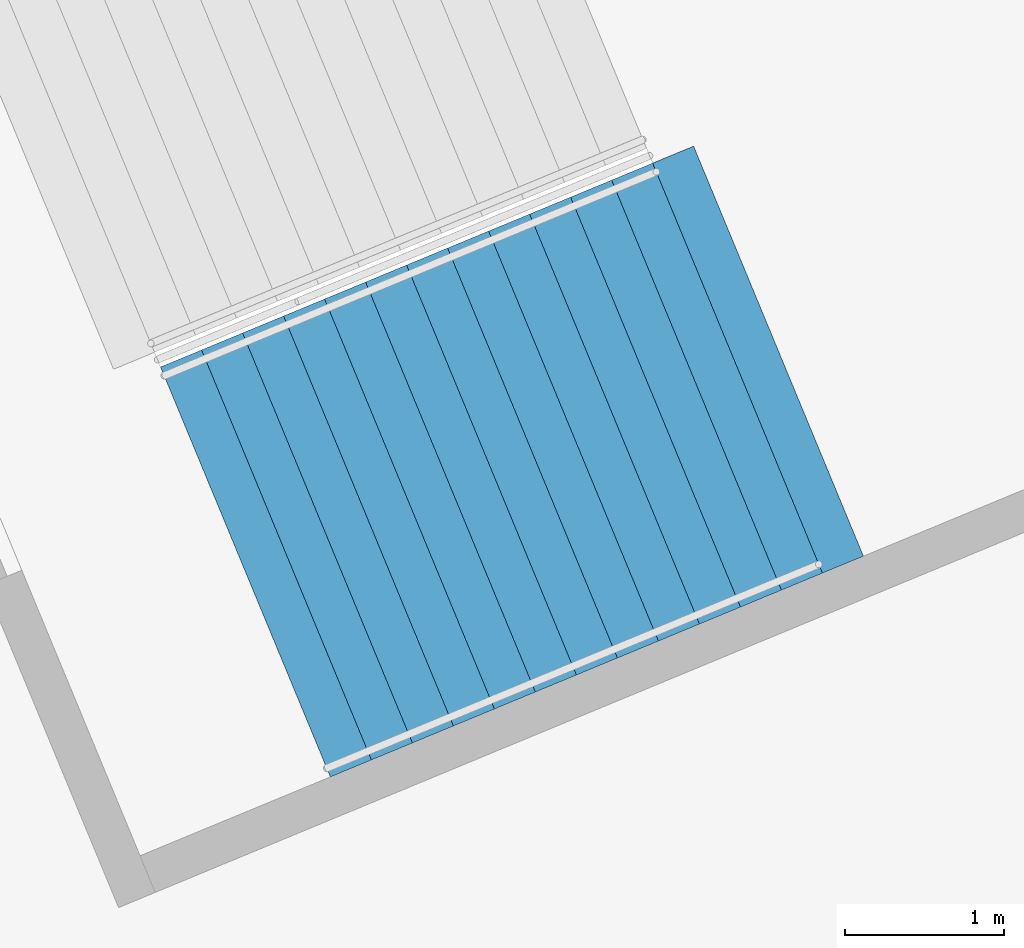
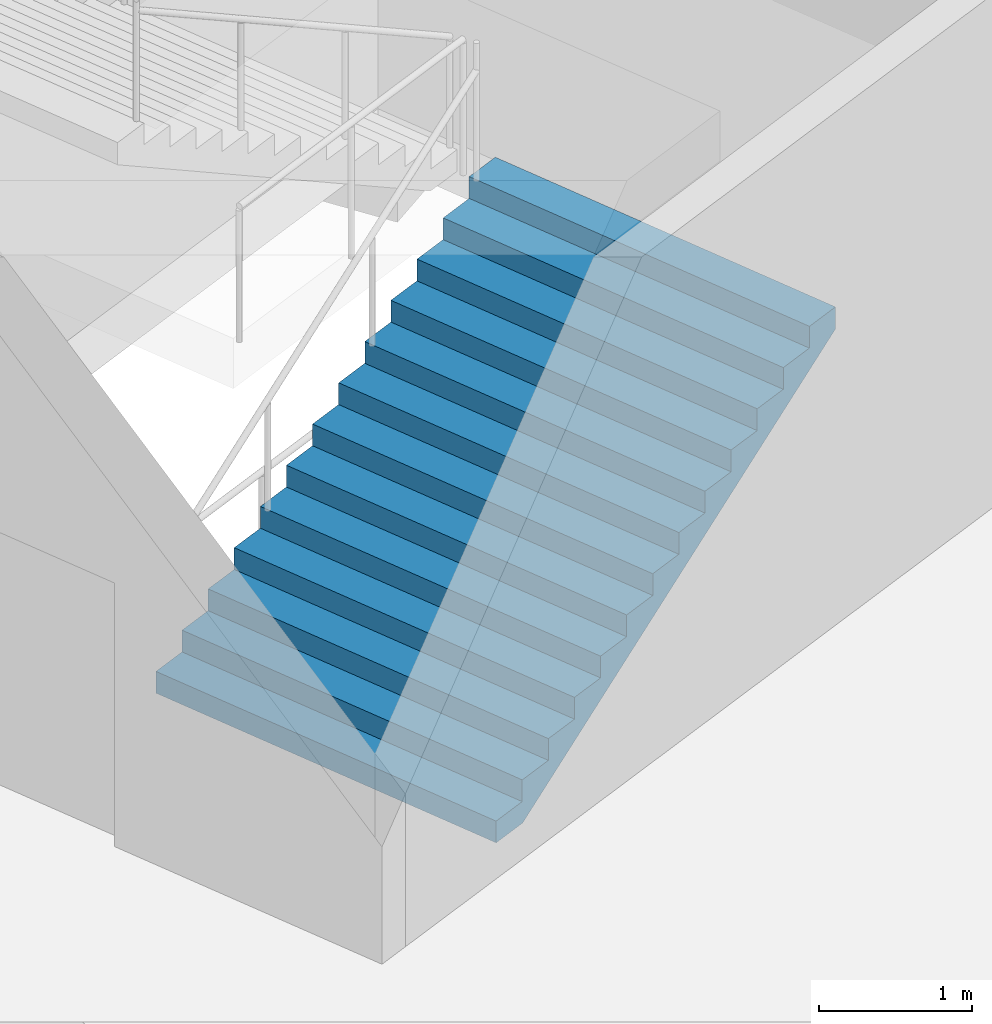
# One storey, part 228 of 249: 1 stair flight, 1 element without a shape of its own.
"""IFC4 building model written with IfcOpenShell, lengths in metres."""

from ifc_helpers import new_model, si_unit, direction, frame, origin, place, context, subcontext, project, spatial, faceted_brep, material, type_object, element, aggregate, save


model = new_model("IFC4")

# Units and contexts
model_context = context("Model", 3, precision=1e-05, world=origin(), true_north=direction((0.0, 1.0)))
body_context = subcontext(model_context, "Body", "Model", "MODEL_VIEW")
ifc_project = project(units=[si_unit("LENGTHUNIT", "METRE"), si_unit("AREAUNIT", "SQUARE_METRE"), si_unit("VOLUMEUNIT", "CUBIC_METRE"), si_unit("PLANEANGLEUNIT", "RADIAN"), si_unit("MASSUNIT", "GRAM", prefix="KILO")], contexts=[model_context])

# Site, building, storey
site_placement = place(None, origin())
site = spatial("IfcSite", under=ifc_project, at=site_placement, CompositionType="ELEMENT")
building_placement = place(site_placement, origin())
building = spatial("IfcBuilding", under=site, at=building_placement, Name="Ogive Plaza Stadium", CompositionType="ELEMENT")
storey_placement = place(building_placement, frame((0.0, 0.0, 13.5)))
storey = spatial("IfcBuildingStorey", under=building, at=storey_placement, Name="L03", CompositionType="ELEMENT", Elevation=13.5)

# Stair, stair flight
ifc_material_1 = material(Name="Concrete C40/50", Category="concrete")
stair_type = type_object("IfcStairType", Name="Exit stair", PredefinedType="STRAIGHT_RUN_STAIR", material=ifc_material_1)
stair_placement = place(storey_placement, origin())
stair = element("IfcStair", 1, at=stair_placement, inside=storey, type_object=stair_type, Name="Exit stair ST40A L03 to L04", PredefinedType="STRAIGHT_RUN_STAIR")
ifc_material_2 = material(Name="Concrete C40/50", Category="concrete")
stair_flight_type = type_object("IfcStairFlightType", Name="Exit stair flight", PredefinedType="STRAIGHT", material=ifc_material_2)
stair_flight_placement = place(storey_placement, frame((74.819580078125, 64.618408203125, 0.0), z_axis=(0.0, 0.0, 1.0), x_axis=(0.923879532511, 0.382683432365, 0.0)))
stair_flight = element("IfcStairFlight", 2, at=stair_flight_placement, type_object=stair_flight_type, Name="ST40A flight 1", NumberOfRisers=13, NumberOfTreads=12, PredefinedType="STRAIGHT", RiserHeight=0.173076923, TreadLength=0.28, context=body_context, shape_type="Brep", body=[
    faceted_brep([(0.28515625, -1.39990234375, 0.0), (3.639892578125, -1.39990234375, 2.07373046875), (3.639892578125, -1.39990234375, 2.25), (3.360107421875, -1.39990234375, 2.25), (3.360107421875, -1.39990234375, 2.076904296875), (3.080078125, -1.39990234375, 2.076904296875), (3.080078125, -1.39990234375, 1.90380859375), (2.800048828125, -1.39990234375, 1.90380859375), (2.800048828125, -1.39990234375, 1.730712890625), (2.52001953125, -1.39990234375, 1.730712890625), (2.52001953125, -1.39990234375, 1.5576171875), (2.239990234375, -1.39990234375, 1.5576171875), (2.239990234375, -1.39990234375, 1.384521484375), (1.9599609375, -1.39990234375, 1.384521484375), (1.9599609375, -1.39990234375, 1.21142578125), (1.679931640625, -1.39990234375, 1.21142578125), (1.679931640625, -1.39990234375, 1.03857421875), (1.39990234375, -1.39990234375, 1.03857421875), (1.39990234375, -1.39990234375, 0.865478515625), (1.1201171875, -1.39990234375, 0.865478515625), (1.1201171875, -1.39990234375, 0.6923828125), (0.840087890625, -1.39990234375, 0.6923828125), (0.840087890625, -1.39990234375, 0.519287109375), (0.56005859375, -1.39990234375, 0.519287109375), (0.56005859375, -1.39990234375, 0.34619140625), (0.280029296875, -1.39990234375, 0.34619140625), (0.280029296875, -1.39990234375, 0.173095703125), (0.0, -1.39990234375, 0.173095703125), (0.0, -1.39990234375, 0.0), (0.0, 1.39990234375, 0.0), (0.0, 1.39990234375, 0.173095703125), (0.280029296875, 1.39990234375, 0.173095703125), (0.280029296875, 1.39990234375, 0.34619140625), (0.56005859375, 1.39990234375, 0.34619140625), (0.56005859375, 1.39990234375, 0.519287109375), (0.840087890625, 1.39990234375, 0.519287109375), (0.840087890625, 1.39990234375, 0.6923828125), (1.1201171875, 1.39990234375, 0.6923828125), (1.1201171875, 1.39990234375, 0.865478515625), (1.39990234375, 1.39990234375, 0.865478515625), (1.39990234375, 1.39990234375, 1.03857421875), (1.679931640625, 1.39990234375, 1.03857421875), (1.679931640625, 1.39990234375, 1.21142578125), (1.9599609375, 1.39990234375, 1.21142578125), (1.9599609375, 1.39990234375, 1.384521484375), (2.239990234375, 1.39990234375, 1.384521484375), (2.239990234375, 1.39990234375, 1.5576171875), (2.52001953125, 1.39990234375, 1.5576171875), (2.52001953125, 1.39990234375, 1.730712890625), (2.800048828125, 1.39990234375, 1.730712890625), (2.800048828125, 1.39990234375, 1.90380859375), (3.080078125, 1.39990234375, 1.90380859375), (3.080078125, 1.39990234375, 2.076904296875), (3.360107421875, 1.39990234375, 2.076904296875), (3.360107421875, 1.39990234375, 2.25), (3.639892578125, 1.39990234375, 2.25), (3.639892578125, 1.39990234375, 2.07373046875), (0.28515625, 1.39990234375, 0.0), (0.28515625, -1.0888671875, 0.0), (3.639892578125, -1.0888671875, 2.07373046875), (0.28515625, -0.77783203125, 0.0), (3.639892578125, -0.77783203125, 2.07373046875), (0.28515625, -0.466796875, 0.0), (3.639892578125, -0.466796875, 2.07373046875), (0.28515625, -0.155517578125, 0.0), (3.639892578125, -0.155517578125, 2.07373046875), (0.28515625, 0.155517578125, 0.0), (3.639892578125, 0.155517578125, 2.07373046875), (0.28515625, 0.466796875, 0.0), (3.639892578125, 0.466796875, 2.07373046875), (0.28515625, 0.77783203125, 0.0), (3.639892578125, 0.77783203125, 2.07373046875), (0.28515625, 1.0888671875, 0.0), (3.639892578125, 1.0888671875, 2.07373046875), (3.639892578125, -1.0888671875, 2.25), (3.639892578125, -0.77783203125, 2.25), (3.639892578125, -0.466796875, 2.25), (3.639892578125, -0.155517578125, 2.25), (3.639892578125, 0.155517578125, 2.25), (3.639892578125, 0.466796875, 2.25), (3.639892578125, 0.77783203125, 2.25), (3.639892578125, 1.0888671875, 2.25), (3.360107421875, -1.0888671875, 2.25), (3.360107421875, -0.77783203125, 2.25), (3.360107421875, -0.466796875, 2.25), (3.360107421875, -0.155517578125, 2.25), (3.360107421875, 0.155517578125, 2.25), (3.360107421875, 0.466796875, 2.25), (3.360107421875, 0.77783203125, 2.25), (3.360107421875, 1.0888671875, 2.25), (3.360107421875, -1.0888671875, 2.076904296875), (3.360107421875, -0.77783203125, 2.076904296875), (3.360107421875, -0.466796875, 2.076904296875), (3.360107421875, -0.155517578125, 2.076904296875), (3.360107421875, 0.155517578125, 2.076904296875), (3.360107421875, 0.466796875, 2.076904296875), (3.360107421875, 0.77783203125, 2.076904296875), (3.360107421875, 1.0888671875, 2.076904296875), (3.080078125, -1.0888671875, 2.076904296875), (3.080078125, -0.77783203125, 2.076904296875), (3.080078125, -0.466796875, 2.076904296875), (3.080078125, -0.155517578125, 2.076904296875), (3.080078125, 0.155517578125, 2.076904296875), (3.080078125, 0.466796875, 2.076904296875), (3.080078125, 0.77783203125, 2.076904296875), (3.080078125, 1.0888671875, 2.076904296875), (3.080078125, -1.0888671875, 1.90380859375), (3.080078125, -0.77783203125, 1.90380859375), (3.080078125, -0.466796875, 1.90380859375), (3.080078125, -0.155517578125, 1.90380859375), (3.080078125, 0.155517578125, 1.90380859375), (3.080078125, 0.466796875, 1.90380859375), (3.080078125, 0.77783203125, 1.90380859375), (3.080078125, 1.0888671875, 1.90380859375), (2.800048828125, -1.0888671875, 1.90380859375), (2.800048828125, -0.77783203125, 1.90380859375), (2.800048828125, -0.466796875, 1.90380859375), (2.800048828125, -0.155517578125, 1.90380859375), (2.800048828125, 0.155517578125, 1.90380859375), (2.800048828125, 0.466796875, 1.90380859375), (2.800048828125, 0.77783203125, 1.90380859375), (2.800048828125, 1.0888671875, 1.90380859375), (2.800048828125, -1.0888671875, 1.730712890625), (2.800048828125, -0.77783203125, 1.730712890625), (2.800048828125, -0.466796875, 1.730712890625), (2.800048828125, -0.155517578125, 1.730712890625), (2.800048828125, 0.155517578125, 1.730712890625), (2.800048828125, 0.466796875, 1.730712890625), (2.800048828125, 0.77783203125, 1.730712890625), (2.800048828125, 1.0888671875, 1.730712890625), (2.52001953125, -1.0888671875, 1.730712890625), (2.52001953125, -0.77783203125, 1.730712890625), (2.52001953125, -0.466796875, 1.730712890625), (2.52001953125, -0.155517578125, 1.730712890625), (2.52001953125, 0.155517578125, 1.730712890625), (2.52001953125, 0.466796875, 1.730712890625), (2.52001953125, 0.77783203125, 1.730712890625), (2.52001953125, 1.0888671875, 1.730712890625), (2.52001953125, -1.0888671875, 1.5576171875), (2.52001953125, -0.77783203125, 1.5576171875), (2.52001953125, -0.466796875, 1.5576171875), (2.52001953125, -0.155517578125, 1.5576171875), (2.52001953125, 0.155517578125, 1.5576171875), (2.52001953125, 0.466796875, 1.5576171875), (2.52001953125, 0.77783203125, 1.5576171875), (2.52001953125, 1.0888671875, 1.5576171875), (2.239990234375, -1.0888671875, 1.5576171875), (2.239990234375, -0.77783203125, 1.5576171875), (2.239990234375, -0.466796875, 1.5576171875), (2.239990234375, -0.155517578125, 1.5576171875), (2.239990234375, 0.155517578125, 1.5576171875), (2.239990234375, 0.466796875, 1.5576171875), (2.239990234375, 0.77783203125, 1.5576171875), (2.239990234375, 1.0888671875, 1.5576171875), (2.239990234375, -1.0888671875, 1.384521484375), (2.239990234375, -0.77783203125, 1.384521484375), (2.239990234375, -0.466796875, 1.384521484375), (2.239990234375, -0.155517578125, 1.384521484375), (2.239990234375, 0.155517578125, 1.384521484375), (2.239990234375, 0.466796875, 1.384521484375), (2.239990234375, 0.77783203125, 1.384521484375), (2.239990234375, 1.0888671875, 1.384521484375), (1.9599609375, -1.0888671875, 1.384521484375), (1.9599609375, -0.77783203125, 1.384521484375), (1.9599609375, -0.466796875, 1.384521484375), (1.9599609375, -0.155517578125, 1.384521484375), (1.9599609375, 0.155517578125, 1.384521484375), (1.9599609375, 0.466796875, 1.384521484375), (1.9599609375, 0.77783203125, 1.384521484375), (1.9599609375, 1.0888671875, 1.384521484375), (1.9599609375, -1.0888671875, 1.21142578125), (1.9599609375, -0.77783203125, 1.21142578125), (1.9599609375, -0.466796875, 1.21142578125), (1.9599609375, -0.155517578125, 1.21142578125), (1.9599609375, 0.155517578125, 1.21142578125), (1.9599609375, 0.466796875, 1.21142578125), (1.9599609375, 0.77783203125, 1.21142578125), (1.9599609375, 1.0888671875, 1.21142578125), (1.679931640625, -1.0888671875, 1.21142578125), (1.679931640625, -0.77783203125, 1.21142578125), (1.679931640625, -0.466796875, 1.21142578125), (1.679931640625, -0.155517578125, 1.21142578125), (1.679931640625, 0.155517578125, 1.21142578125), (1.679931640625, 0.466796875, 1.21142578125), (1.679931640625, 0.77783203125, 1.21142578125), (1.679931640625, 1.0888671875, 1.21142578125), (1.679931640625, -1.0888671875, 1.03857421875), (1.679931640625, -0.77783203125, 1.03857421875), (1.679931640625, -0.466796875, 1.03857421875), (1.679931640625, -0.155517578125, 1.03857421875), (1.679931640625, 0.155517578125, 1.03857421875), (1.679931640625, 0.466796875, 1.03857421875), (1.679931640625, 0.77783203125, 1.03857421875), (1.679931640625, 1.0888671875, 1.03857421875), (1.39990234375, -1.0888671875, 1.03857421875), (1.39990234375, -0.77783203125, 1.03857421875), (1.39990234375, -0.466796875, 1.03857421875), (1.39990234375, -0.155517578125, 1.03857421875), (1.39990234375, 0.155517578125, 1.03857421875), (1.39990234375, 0.466796875, 1.03857421875), (1.39990234375, 0.77783203125, 1.03857421875), (1.39990234375, 1.0888671875, 1.03857421875), (1.39990234375, -1.0888671875, 0.865478515625), (1.39990234375, -0.77783203125, 0.865478515625), (1.39990234375, -0.466796875, 0.865478515625), (1.39990234375, -0.155517578125, 0.865478515625), (1.39990234375, 0.155517578125, 0.865478515625), (1.39990234375, 0.466796875, 0.865478515625), (1.39990234375, 0.77783203125, 0.865478515625), (1.39990234375, 1.0888671875, 0.865478515625), (1.1201171875, -1.0888671875, 0.865478515625), (1.1201171875, -0.77783203125, 0.865478515625), (1.1201171875, -0.466796875, 0.865478515625), (1.1201171875, -0.155517578125, 0.865478515625), (1.1201171875, 0.155517578125, 0.865478515625), (1.1201171875, 0.466796875, 0.865478515625), (1.1201171875, 0.77783203125, 0.865478515625), (1.1201171875, 1.0888671875, 0.865478515625), (1.1201171875, -1.0888671875, 0.6923828125), (1.1201171875, -0.77783203125, 0.6923828125), (1.1201171875, -0.466796875, 0.6923828125), (1.1201171875, -0.155517578125, 0.6923828125), (1.1201171875, 0.155517578125, 0.6923828125), (1.1201171875, 0.466796875, 0.6923828125), (1.1201171875, 0.77783203125, 0.6923828125), (1.1201171875, 1.0888671875, 0.6923828125), (0.840087890625, -1.0888671875, 0.6923828125), (0.840087890625, -0.77783203125, 0.6923828125), (0.840087890625, -0.466796875, 0.6923828125), (0.840087890625, -0.155517578125, 0.6923828125), (0.840087890625, 0.155517578125, 0.6923828125), (0.840087890625, 0.466796875, 0.6923828125), (0.840087890625, 0.77783203125, 0.6923828125), (0.840087890625, 1.0888671875, 0.6923828125), (0.840087890625, -1.0888671875, 0.519287109375), (0.840087890625, -0.77783203125, 0.519287109375), (0.840087890625, -0.466796875, 0.519287109375), (0.840087890625, -0.155517578125, 0.519287109375), (0.840087890625, 0.155517578125, 0.519287109375), (0.840087890625, 0.466796875, 0.519287109375), (0.840087890625, 0.77783203125, 0.519287109375), (0.840087890625, 1.0888671875, 0.519287109375), (0.56005859375, -1.0888671875, 0.519287109375), (0.56005859375, -0.77783203125, 0.519287109375), (0.56005859375, -0.466796875, 0.519287109375), (0.56005859375, -0.155517578125, 0.519287109375), (0.56005859375, 0.155517578125, 0.519287109375), (0.56005859375, 0.466796875, 0.519287109375), (0.56005859375, 0.77783203125, 0.519287109375), (0.56005859375, 1.0888671875, 0.519287109375), (0.56005859375, -1.0888671875, 0.34619140625), (0.56005859375, -0.77783203125, 0.34619140625), (0.56005859375, -0.466796875, 0.34619140625), (0.56005859375, -0.155517578125, 0.34619140625), (0.56005859375, 0.155517578125, 0.34619140625), (0.56005859375, 0.466796875, 0.34619140625), (0.56005859375, 0.77783203125, 0.34619140625), (0.56005859375, 1.0888671875, 0.34619140625), (0.280029296875, -1.0888671875, 0.34619140625), (0.280029296875, -0.77783203125, 0.34619140625), (0.280029296875, -0.466796875, 0.34619140625), (0.280029296875, -0.155517578125, 0.34619140625), (0.280029296875, 0.155517578125, 0.34619140625), (0.280029296875, 0.466796875, 0.34619140625), (0.280029296875, 0.77783203125, 0.34619140625), (0.280029296875, 1.0888671875, 0.34619140625), (0.280029296875, -1.0888671875, 0.173095703125), (0.280029296875, -0.77783203125, 0.173095703125), (0.280029296875, -0.466796875, 0.173095703125), (0.280029296875, -0.155517578125, 0.173095703125), (0.280029296875, 0.155517578125, 0.173095703125), (0.280029296875, 0.466796875, 0.173095703125), (0.280029296875, 0.77783203125, 0.173095703125), (0.280029296875, 1.0888671875, 0.173095703125), (0.0, -1.0888671875, 0.173095703125), (0.0, -0.77783203125, 0.173095703125), (0.0, -0.466796875, 0.173095703125), (0.0, -0.155517578125, 0.173095703125), (0.0, 0.155517578125, 0.173095703125), (0.0, 0.466796875, 0.173095703125), (0.0, 0.77783203125, 0.173095703125), (0.0, 1.0888671875, 0.173095703125), (0.0, -1.0888671875, 0.0), (0.0, -0.77783203125, 0.0), (0.0, -0.466796875, 0.0), (0.0, -0.155517578125, 0.0), (0.0, 0.155517578125, 0.0), (0.0, 0.466796875, 0.0), (0.0, 0.77783203125, 0.0), (0.0, 1.0888671875, 0.0)], [[[0, 1, 2, 3, 4, 5, 6, 7, 8, 9, 10, 11, 12, 13, 14, 15, 16, 17, 18, 19, 20, 21, 22, 23, 24, 25, 26, 27, 28]], [[29, 30, 31, 32, 33, 34, 35, 36, 37, 38, 39, 40, 41, 42, 43, 44, 45, 46, 47, 48, 49, 50, 51, 52, 53, 54, 55, 56, 57]], [[0, 58, 59, 1]], [[58, 60, 61, 59]], [[60, 62, 63, 61]], [[62, 64, 65, 63]], [[64, 66, 67, 65]], [[66, 68, 69, 67]], [[68, 70, 71, 69]], [[70, 72, 73, 71]], [[72, 57, 56, 73]], [[1, 59, 74, 2]], [[59, 61, 75, 74]], [[61, 63, 76, 75]], [[63, 65, 77, 76]], [[65, 67, 78, 77]], [[67, 69, 79, 78]], [[69, 71, 80, 79]], [[71, 73, 81, 80]], [[73, 56, 55, 81]], [[2, 74, 82, 3]], [[74, 75, 83, 82]], [[75, 76, 84, 83]], [[76, 77, 85, 84]], [[77, 78, 86, 85]], [[78, 79, 87, 86]], [[79, 80, 88, 87]], [[80, 81, 89, 88]], [[81, 55, 54, 89]], [[3, 82, 90, 4]], [[82, 83, 91, 90]], [[83, 84, 92, 91]], [[84, 85, 93, 92]], [[85, 86, 94, 93]], [[86, 87, 95, 94]], [[87, 88, 96, 95]], [[88, 89, 97, 96]], [[89, 54, 53, 97]], [[4, 90, 98, 5]], [[90, 91, 99, 98]], [[91, 92, 100, 99]], [[92, 93, 101, 100]], [[93, 94, 102, 101]], [[94, 95, 103, 102]], [[95, 96, 104, 103]], [[96, 97, 105, 104]], [[97, 53, 52, 105]], [[5, 98, 106, 6]], [[98, 99, 107, 106]], [[99, 100, 108, 107]], [[100, 101, 109, 108]], [[101, 102, 110, 109]], [[102, 103, 111, 110]], [[103, 104, 112, 111]], [[104, 105, 113, 112]], [[105, 52, 51, 113]], [[6, 106, 114, 7]], [[106, 107, 115, 114]], [[107, 108, 116, 115]], [[108, 109, 117, 116]], [[109, 110, 118, 117]], [[110, 111, 119, 118]], [[111, 112, 120, 119]], [[112, 113, 121, 120]], [[113, 51, 50, 121]], [[7, 114, 122, 8]], [[114, 115, 123, 122]], [[115, 116, 124, 123]], [[116, 117, 125, 124]], [[117, 118, 126, 125]], [[118, 119, 127, 126]], [[119, 120, 128, 127]], [[120, 121, 129, 128]], [[121, 50, 49, 129]], [[8, 122, 130, 9]], [[122, 123, 131, 130]], [[123, 124, 132, 131]], [[124, 125, 133, 132]], [[125, 126, 134, 133]], [[126, 127, 135, 134]], [[127, 128, 136, 135]], [[128, 129, 137, 136]], [[129, 49, 48, 137]], [[9, 130, 138, 10]], [[130, 131, 139, 138]], [[131, 132, 140, 139]], [[132, 133, 141, 140]], [[133, 134, 142, 141]], [[134, 135, 143, 142]], [[135, 136, 144, 143]], [[136, 137, 145, 144]], [[137, 48, 47, 145]], [[10, 138, 146, 11]], [[138, 139, 147, 146]], [[139, 140, 148, 147]], [[140, 141, 149, 148]], [[141, 142, 150, 149]], [[142, 143, 151, 150]], [[143, 144, 152, 151]], [[144, 145, 153, 152]], [[145, 47, 46, 153]], [[11, 146, 154, 12]], [[146, 147, 155, 154]], [[147, 148, 156, 155]], [[148, 149, 157, 156]], [[149, 150, 158, 157]], [[150, 151, 159, 158]], [[151, 152, 160, 159]], [[152, 153, 161, 160]], [[153, 46, 45, 161]], [[12, 154, 162, 13]], [[154, 155, 163, 162]], [[155, 156, 164, 163]], [[156, 157, 165, 164]], [[157, 158, 166, 165]], [[158, 159, 167, 166]], [[159, 160, 168, 167]], [[160, 161, 169, 168]], [[161, 45, 44, 169]], [[13, 162, 170, 14]], [[162, 163, 171, 170]], [[163, 164, 172, 171]], [[164, 165, 173, 172]], [[165, 166, 174, 173]], [[166, 167, 175, 174]], [[167, 168, 176, 175]], [[168, 169, 177, 176]], [[169, 44, 43, 177]], [[14, 170, 178, 15]], [[170, 171, 179, 178]], [[171, 172, 180, 179]], [[172, 173, 181, 180]], [[173, 174, 182, 181]], [[174, 175, 183, 182]], [[175, 176, 184, 183]], [[176, 177, 185, 184]], [[177, 43, 42, 185]], [[15, 178, 186, 16]], [[178, 179, 187, 186]], [[179, 180, 188, 187]], [[180, 181, 189, 188]], [[181, 182, 190, 189]], [[182, 183, 191, 190]], [[183, 184, 192, 191]], [[184, 185, 193, 192]], [[185, 42, 41, 193]], [[16, 186, 194, 17]], [[186, 187, 195, 194]], [[187, 188, 196, 195]], [[188, 189, 197, 196]], [[189, 190, 198, 197]], [[190, 191, 199, 198]], [[191, 192, 200, 199]], [[192, 193, 201, 200]], [[193, 41, 40, 201]], [[17, 194, 202, 18]], [[194, 195, 203, 202]], [[195, 196, 204, 203]], [[196, 197, 205, 204]], [[197, 198, 206, 205]], [[198, 199, 207, 206]], [[199, 200, 208, 207]], [[200, 201, 209, 208]], [[201, 40, 39, 209]], [[18, 202, 210, 19]], [[202, 203, 211, 210]], [[203, 204, 212, 211]], [[204, 205, 213, 212]], [[205, 206, 214, 213]], [[206, 207, 215, 214]], [[207, 208, 216, 215]], [[208, 209, 217, 216]], [[209, 39, 38, 217]], [[19, 210, 218, 20]], [[210, 211, 219, 218]], [[211, 212, 220, 219]], [[212, 213, 221, 220]], [[213, 214, 222, 221]], [[214, 215, 223, 222]], [[215, 216, 224, 223]], [[216, 217, 225, 224]], [[217, 38, 37, 225]], [[20, 218, 226, 21]], [[218, 219, 227, 226]], [[219, 220, 228, 227]], [[220, 221, 229, 228]], [[221, 222, 230, 229]], [[222, 223, 231, 230]], [[223, 224, 232, 231]], [[224, 225, 233, 232]], [[225, 37, 36, 233]], [[21, 226, 234, 22]], [[226, 227, 235, 234]], [[227, 228, 236, 235]], [[228, 229, 237, 236]], [[229, 230, 238, 237]], [[230, 231, 239, 238]], [[231, 232, 240, 239]], [[232, 233, 241, 240]], [[233, 36, 35, 241]], [[22, 234, 242, 23]], [[234, 235, 243, 242]], [[235, 236, 244, 243]], [[236, 237, 245, 244]], [[237, 238, 246, 245]], [[238, 239, 247, 246]], [[239, 240, 248, 247]], [[240, 241, 249, 248]], [[241, 35, 34, 249]], [[23, 242, 250, 24]], [[242, 243, 251, 250]], [[243, 244, 252, 251]], [[244, 245, 253, 252]], [[245, 246, 254, 253]], [[246, 247, 255, 254]], [[247, 248, 256, 255]], [[248, 249, 257, 256]], [[249, 34, 33, 257]], [[24, 250, 258, 25]], [[250, 251, 259, 258]], [[251, 252, 260, 259]], [[252, 253, 261, 260]], [[253, 254, 262, 261]], [[254, 255, 263, 262]], [[255, 256, 264, 263]], [[256, 257, 265, 264]], [[257, 33, 32, 265]], [[25, 258, 266, 26]], [[258, 259, 267, 266]], [[259, 260, 268, 267]], [[260, 261, 269, 268]], [[261, 262, 270, 269]], [[262, 263, 271, 270]], [[263, 264, 272, 271]], [[264, 265, 273, 272]], [[265, 32, 31, 273]], [[26, 266, 274, 27]], [[266, 267, 275, 274]], [[267, 268, 276, 275]], [[268, 269, 277, 276]], [[269, 270, 278, 277]], [[270, 271, 279, 278]], [[271, 272, 280, 279]], [[272, 273, 281, 280]], [[273, 31, 30, 281]], [[27, 274, 282, 28]], [[274, 275, 283, 282]], [[275, 276, 284, 283]], [[276, 277, 285, 284]], [[277, 278, 286, 285]], [[278, 279, 287, 286]], [[279, 280, 288, 287]], [[280, 281, 289, 288]], [[281, 30, 29, 289]], [[28, 282, 58, 0]], [[282, 283, 60, 58]], [[283, 284, 62, 60]], [[284, 285, 64, 62]], [[285, 286, 66, 64]], [[286, 287, 68, 66]], [[287, 288, 70, 68]], [[288, 289, 72, 70]], [[289, 29, 57, 72]]]),
])
aggregate(stair, [stair_flight])

save(model, "model.ifc")
